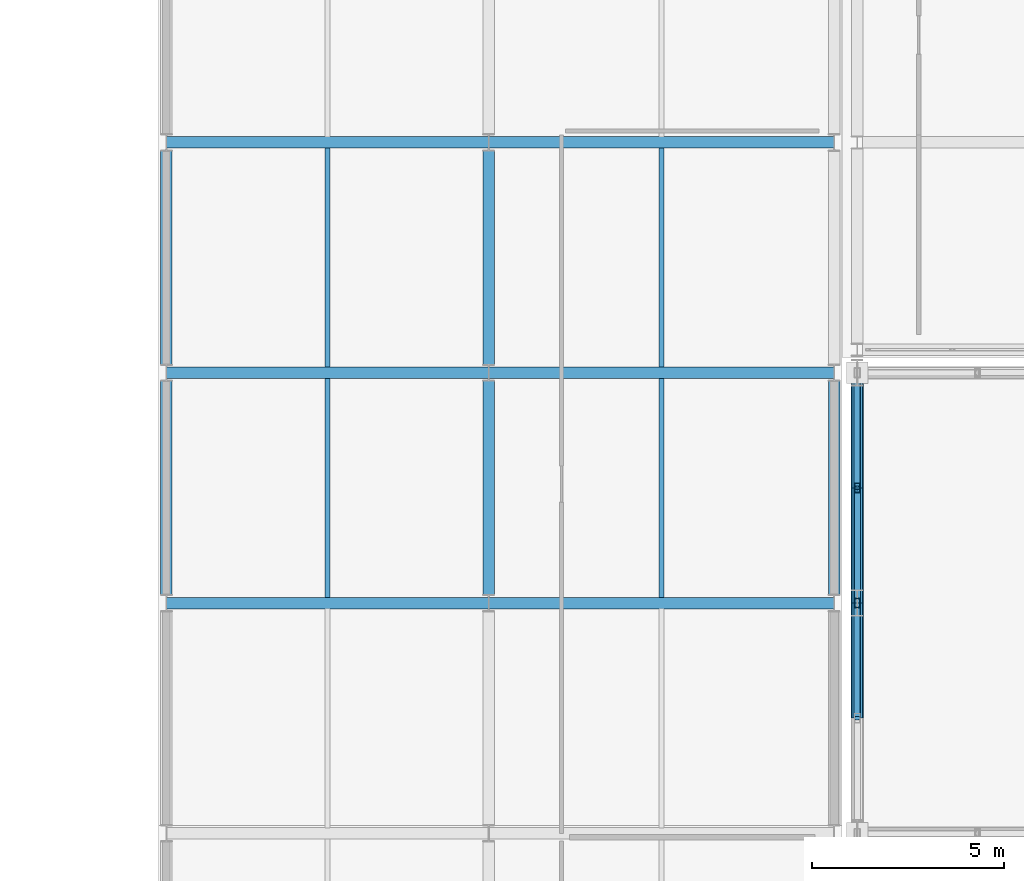
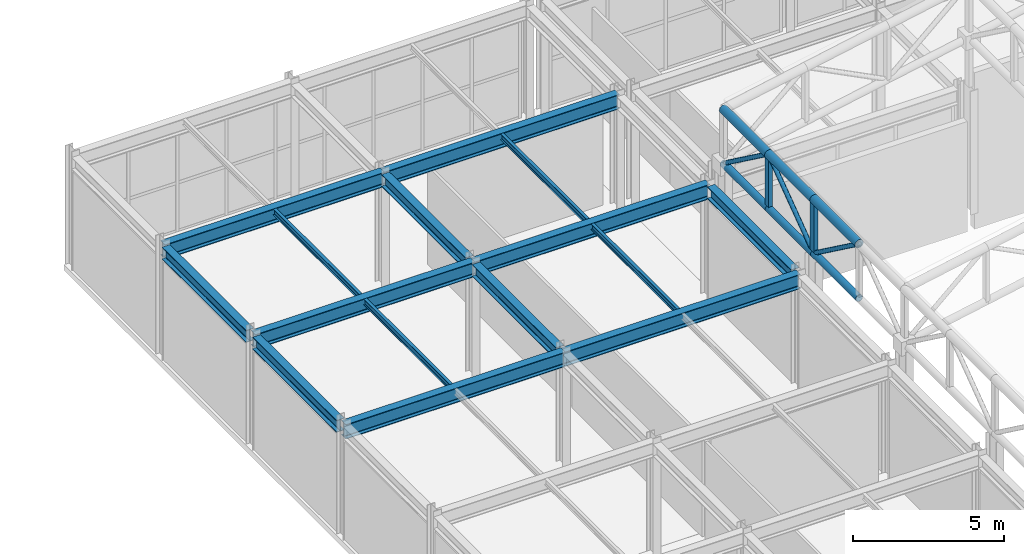
# One storey, part 60 of 112: 15 beams, 11 members.
"""IFC4 building model written with IfcOpenShell, lengths in metres."""

from ifc_helpers import new_model, si_unit, direction, frame, origin, origin_2d, place, context, subcontext, project, spatial, hollow_rectangle, hollow_circle, i_section, extrude, material, material_profile, profile_set, type_object, element, save


model = new_model("IFC4")

# Units and contexts
model_context = context("Model", 3, precision=1e-05, world=origin(), true_north=direction((0.0, 1.0)))
body_context = subcontext(model_context, "Body", "Model", "MODEL_VIEW")
ifc_project = project(units=[si_unit("LENGTHUNIT", "METRE"), si_unit("AREAUNIT", "SQUARE_METRE"), si_unit("VOLUMEUNIT", "CUBIC_METRE"), si_unit("PLANEANGLEUNIT", "RADIAN"), si_unit("MASSUNIT", "GRAM", prefix="KILO")], contexts=[model_context])

# Site, building, storey
site_placement = place(None, origin())
site = spatial("IfcSite", under=ifc_project, at=site_placement, CompositionType="ELEMENT")
building_placement = place(site_placement, origin())
building = spatial("IfcBuilding", under=site, at=building_placement, Name="Kaldris Quays Convention Centre", CompositionType="ELEMENT")
storey_placement = place(building_placement, frame((0.0, 0.0, 16.800048828125)))
storey = spatial("IfcBuildingStorey", under=building, at=storey_placement, Name="L03", CompositionType="ELEMENT", Elevation=16.800048828125)

# Beams
ifc_material_1 = material(Name="Steel S355J2", Category="steel")
ifc_material_profile_1 = material_profile(ifc_material_1, i_section(OverallWidth=0.300048828125, OverallDepth=0.590087890625, WebThickness=0.012939453125, FlangeThickness=0.02490234375, FilletRadius=0.027099609375, at=origin_2d()), Name="HEA 600")
ifc_profile_set_1 = profile_set([ifc_material_profile_1], Name="Steel S355J2")
beam_type_1 = type_object("IfcBeamType", Name="STRUCTURAL BEAM BM08", PredefinedType="BEAM", material=ifc_profile_set_1)
beam_1_placement = place(storey_placement, frame((146.60107421875, 98.0, 4.284912109375), z_axis=(1.0, 0.0, 0.0), x_axis=(0.0, 1.0, 0.0)))
element("IfcBeam", 1, at=beam_1_placement, inside=storey, type_object=beam_type_1, Name="L03 Girder BM08 39", PredefinedType="BEAM", context=body_context, shape_type="SweptSolid", body=[
    extrude(i_section(OverallWidth=0.300048828125, OverallDepth=0.590087890625, WebThickness=0.012939453125, FlangeThickness=0.02490234375, FilletRadius=0.027099609375, at=origin_2d()), origin(), (0.0, 0.0, 1.0), 8.39794921875),
])
beam_2_placement = place(storey_placement, frame((155.0009765625, 98.0, 4.284912109375), z_axis=(1.0, 0.0, 0.0), x_axis=(0.0, 1.0, 0.0)))
element("IfcBeam", 2, at=beam_2_placement, inside=storey, type_object=beam_type_1, Name="L03 Girder BM08 40", PredefinedType="BEAM", context=body_context, shape_type="SweptSolid", body=[
    extrude(i_section(OverallWidth=0.300048828125, OverallDepth=0.590087890625, WebThickness=0.012939453125, FlangeThickness=0.02490234375, FilletRadius=0.027099609375, at=origin_2d()), origin(), (0.0, 0.0, 1.0), 8.998046875),
])
beam_3_placement = place(storey_placement, frame((146.60107421875, 104.0, 4.286865234375), z_axis=(1.0, 0.0, 0.0), x_axis=(0.0, 1.0, 0.0)))
element("IfcBeam", 3, at=beam_3_placement, inside=storey, type_object=beam_type_1, Name="L03 Girder BM08 41", PredefinedType="BEAM", context=body_context, shape_type="SweptSolid", body=[
    extrude(i_section(OverallWidth=0.300048828125, OverallDepth=0.590087890625, WebThickness=0.012939453125, FlangeThickness=0.02490234375, FilletRadius=0.027099609375, at=origin_2d()), origin(), (0.0, 0.0, 1.0), 8.39794921875),
])
beam_4_placement = place(storey_placement, frame((155.0009765625, 104.0, 4.286865234375), z_axis=(1.0, 0.0, 0.0), x_axis=(0.0, 1.0, 0.0)))
element("IfcBeam", 4, at=beam_4_placement, inside=storey, type_object=beam_type_1, Name="L03 Girder BM08 42", PredefinedType="BEAM", context=body_context, shape_type="SweptSolid", body=[
    extrude(i_section(OverallWidth=0.300048828125, OverallDepth=0.590087890625, WebThickness=0.012939453125, FlangeThickness=0.02490234375, FilletRadius=0.027099609375, at=origin_2d()), origin(), (0.0, 0.0, 1.0), 8.998046875),
])
beam_5_placement = place(storey_placement, frame((146.60107421875, 110.0, 4.286865234375), z_axis=(1.0, 0.0, 0.0), x_axis=(0.0, 1.0, 0.0)))
element("IfcBeam", 5, at=beam_5_placement, inside=storey, type_object=beam_type_1, Name="L03 Girder BM08 46", PredefinedType="BEAM", context=body_context, shape_type="SweptSolid", body=[
    extrude(i_section(OverallWidth=0.300048828125, OverallDepth=0.590087890625, WebThickness=0.012939453125, FlangeThickness=0.02490234375, FilletRadius=0.027099609375, at=origin_2d()), origin(), (0.0, 0.0, 1.0), 8.39794921875),
])
beam_6_placement = place(storey_placement, frame((155.0009765625, 110.0, 4.286865234375), z_axis=(1.0, 0.0, 0.0), x_axis=(0.0, 1.0, 0.0)))
element("IfcBeam", 6, at=beam_6_placement, inside=storey, type_object=beam_type_1, Name="L03 Girder BM08 47", PredefinedType="BEAM", context=body_context, shape_type="SweptSolid", body=[
    extrude(i_section(OverallWidth=0.300048828125, OverallDepth=0.590087890625, WebThickness=0.012939453125, FlangeThickness=0.02490234375, FilletRadius=0.027099609375, at=origin_2d()), origin(), (0.0, 0.0, 1.0), 8.998046875),
])
ifc_material_profile_2 = material_profile(ifc_material_1, i_section(OverallWidth=0.300048828125, OverallDepth=0.489990234375, WebThickness=0.011962890625, FlangeThickness=0.02294921875, FilletRadius=0.027099609375, at=origin_2d()), Name="HEA 500")
ifc_profile_set_2 = profile_set([ifc_material_profile_2], Name="Steel S355J2")
beam_type_2 = type_object("IfcBeamType", Name="STRUCTURAL BEAM BM09", PredefinedType="BEAM", material=ifc_profile_set_2)
for number, where, z_axis, x_axis, name in (
    (7, (146.60009765625, 98.218994140625, 4.3349609375), (0.0, 1.0, 0.0), (-1.0, 0.0, 0.0), "L03 Girder BM09 75"),
    (8, (146.60009765625, 104.218994140625, 4.3369140625), (0.0, 1.0, 0.0), (-1.0, 0.0, 0.0), "L03 Girder BM09 76"),
    (9, (155.0, 98.218994140625, 4.3349609375), (0.0, 1.0, 0.0), (-1.0, 0.0, 0.0), "L03 Girder BM09 87"),
    (10, (155.0, 104.218994140625, 4.3369140625), (0.0, 1.0, 0.0), (-1.0, 0.0, 0.0), "L03 Girder BM09 88"),
    (11, (164.0, 98.218994140625, 4.3349609375), (0.0, 1.0, 0.0), (-1.0, 0.0, 0.0), "L03 Girder BM09 99"),
):
    element("IfcBeam", number, at=place(storey_placement, frame(where, z_axis=z_axis, x_axis=x_axis)), inside=storey, type_object=beam_type_2, Name=name, PredefinedType="BEAM", context=body_context, shape_type="SweptSolid", body=[
        extrude(i_section(OverallWidth=0.300048828125, OverallDepth=0.489990234375, WebThickness=0.011962890625, FlangeThickness=0.02294921875, FilletRadius=0.027099609375, at=origin_2d()), origin(), (0.0, 0.0, 1.0), 5.56201171875),
    ])
ifc_material_profile_3 = material_profile(ifc_material_1, i_section(OverallWidth=0.1201171875, OverallDepth=0.239990234375, WebThickness=0.006103515625, FlangeThickness=0.009765625, FilletRadius=0.014892578125, at=origin_2d()), Name="IPE 240")
ifc_profile_set_3 = profile_set([ifc_material_profile_3], Name="Steel S355J2")
beam_type_3 = type_object("IfcBeamType", Name="STRUCTURAL BEAM JT05", PredefinedType="JOIST", material=ifc_profile_set_3)
for number, where, z_axis, x_axis, name in (
    (12, (150.800048828125, 98.14404296875, 4.4599609375), (0.0, 1.0, 0.0), (-1.0, 0.0, 0.0), "L03 Secondary Joist JT05 24"),
    (13, (159.5, 98.14404296875, 4.4599609375), (0.0, 1.0, 0.0), (-1.0, 0.0, 0.0), "L03 Secondary Joist JT05 25"),
    (14, (150.800048828125, 104.14404296875, 4.4619140625), (0.0, 1.0, 0.0), (-1.0, 0.0, 0.0), "L03 Secondary Joist JT05 26"),
    (15, (159.5, 104.14404296875, 4.4619140625), (0.0, 1.0, 0.0), (-1.0, 0.0, 0.0), "L03 Secondary Joist JT05 27"),
):
    element("IfcBeam", number, at=place(storey_placement, frame(where, z_axis=z_axis, x_axis=x_axis)), inside=storey, type_object=beam_type_3, Name=name, PredefinedType="JOIST", context=body_context, shape_type="SweptSolid", body=[
        extrude(i_section(OverallWidth=0.1201171875, OverallDepth=0.239990234375, WebThickness=0.006103515625, FlangeThickness=0.009765625, FilletRadius=0.014892578125, at=origin_2d()), origin(), (0.0, 0.0, 1.0), 5.7119140625),
    ])

# Members
ifc_material_2 = material(Name="Steel S355J2H", Category="steel")
ifc_material_profile_4 = material_profile(ifc_material_2, hollow_circle(Radius=0.161865234375, WallThickness=0.01611328125, at=origin_2d()), Name="CHS 323.9x16")
ifc_profile_set_4 = profile_set([ifc_material_profile_4], Name="Steel S355J2H")
member_type_1 = type_object("IfcMemberType", Name="STRUCTURAL MEMBER SC03", PredefinedType="CHORD", material=ifc_profile_set_4)
for number, where, z_axis, x_axis, name in (
    (16, (164.60009765625, 95.0, 7.33056640625), (0.0, 1.0, 0.0), (-1.0, 0.0, 0.0), "SF-V2 Top Chord Y 89"),
    (17, (164.60009765625, 98.0, 7.33056640625), (0.0, 1.0, 0.0), (-1.0, 0.0, 0.0), "SF-V2 Top Chord Y 90"),
    (18, (164.60009765625, 101.0, 7.33056640625), (0.0, 1.0, 0.0), (-1.0, 0.0, 0.0), "SF-V2 Top Chord Y 91"),
):
    element("IfcMember", number, at=place(storey_placement, frame(where, z_axis=z_axis, x_axis=x_axis)), inside=storey, type_object=member_type_1, Name=name, PredefinedType="CHORD", context=body_context, shape_type="SweptSolid", body=[
        extrude(hollow_circle(Radius=0.161865234375, WallThickness=0.01611328125, at=origin_2d()), origin(), (0.0, 0.0, 1.0), 3.0),
    ])
ifc_material_profile_5 = material_profile(ifc_material_2, hollow_circle(Radius=0.136474609375, WallThickness=0.012451171875, at=origin_2d()), Name="CHS 273x12.5")
ifc_profile_set_5 = profile_set([ifc_material_profile_5], Name="Steel S355J2H")
member_type_2 = type_object("IfcMemberType", Name="STRUCTURAL MEMBER SC04", PredefinedType="CHORD", material=ifc_profile_set_5)
for number, where, z_axis, x_axis, name in (
    (19, (164.60009765625, 95.0, 5.13037109375), (0.0, 1.0, 0.0), (-1.0, 0.0, 0.0), "SF-V2 Bottom Chord Y 89"),
    (20, (164.60009765625, 98.0, 5.13037109375), (0.0, 1.0, 0.0), (-1.0, 0.0, 0.0), "SF-V2 Bottom Chord Y 90"),
    (21, (164.60009765625, 101.0, 5.13037109375), (0.0, 1.0, 0.0), (-1.0, 0.0, 0.0), "SF-V2 Bottom Chord Y 91"),
):
    element("IfcMember", number, at=place(storey_placement, frame(where, z_axis=z_axis, x_axis=x_axis)), inside=storey, type_object=member_type_2, Name=name, PredefinedType="CHORD", context=body_context, shape_type="SweptSolid", body=[
        extrude(hollow_circle(Radius=0.136474609375, WallThickness=0.012451171875, at=origin_2d()), origin(), (0.0, 0.0, 1.0), 3.0),
    ])
ifc_material_profile_6 = material_profile(ifc_material_2, hollow_circle(Radius=0.084228515625, WallThickness=0.008056640625, at=origin_2d()), Name="CHS 168.3x8")
ifc_profile_set_6 = profile_set([ifc_material_profile_6], Name="Steel S355J2H")
member_type_3 = type_object("IfcMemberType", Name="STRUCTURAL MEMBER SWB2", PredefinedType="BRACE", material=ifc_profile_set_6)
for number, where, z_axis, x_axis, name in (
    (22, (164.60009765625, 98.0, 5.13037109375), (0.0, -0.806379959628, 0.591397802423), (1.0, 0.0, 0.0), "SF-V2 Web Diagonal Y 89"),
    (23, (164.60009765625, 98.0, 5.13037109375), (0.0, 0.806379959628, 0.591397802423), (-1.0, 0.0, 0.0), "SF-V2 Web Diagonal Y 90"),
    (24, (164.60009765625, 104.0, 5.13037109375), (0.0, -0.806379959628, 0.591397802423), (1.0, 0.0, 0.0), "SF-V2 Web Diagonal Y 91"),
):
    element("IfcMember", number, at=place(storey_placement, frame(where, z_axis=z_axis, x_axis=x_axis)), inside=storey, type_object=member_type_3, Name=name, PredefinedType="BRACE", context=body_context, shape_type="SweptSolid", body=[
        extrude(hollow_circle(Radius=0.084228515625, WallThickness=0.008056640625, at=origin_2d()), origin(), (0.0, 0.0, 1.0), 3.72021484375),
    ])
ifc_material_profile_7 = material_profile(ifc_material_2, hollow_rectangle(XDim=0.14990234375, YDim=0.25, WallThickness=0.010009765625, at=origin_2d()), Name="RHS 250x150x10")
ifc_profile_set_7 = profile_set([ifc_material_profile_7], Name="Steel S355J2H")
member_type_4 = type_object("IfcMemberType", Name="STRUCTURAL MEMBER TTV1", PredefinedType="POST", material=ifc_profile_set_7)
member_1_placement = place(storey_placement, frame((164.60009765625, 98.0, 4.993896484375), z_axis=(0.0, 0.0, 1.0), x_axis=(1.0, 0.0, 0.0)))
element("IfcMember", 25, at=member_1_placement, inside=storey, type_object=member_type_4, Name="SF-V2 Space-Frame Post 15", PredefinedType="POST", context=body_context, shape_type="SweptSolid", body=[
    extrude(hollow_rectangle(XDim=0.14990234375, YDim=0.25, WallThickness=0.010009765625, at=origin_2d()), origin(), (0.0, 0.0, 1.0), 2.336669921875),
])
member_2_placement = place(storey_placement, frame((164.60009765625, 101.0, 5.13037109375), z_axis=(0.0, 0.0, 1.0), x_axis=(1.0, 0.0, 0.0)))
element("IfcMember", 26, at=member_2_placement, inside=storey, type_object=member_type_4, Name="SF-V2 Space-Frame Post 16", PredefinedType="POST", context=body_context, shape_type="SweptSolid", body=[
    extrude(hollow_rectangle(XDim=0.14990234375, YDim=0.25, WallThickness=0.010009765625, at=origin_2d()), origin(), (0.0, 0.0, 1.0), 2.2001953125),
])

save(model, "model.ifc")
